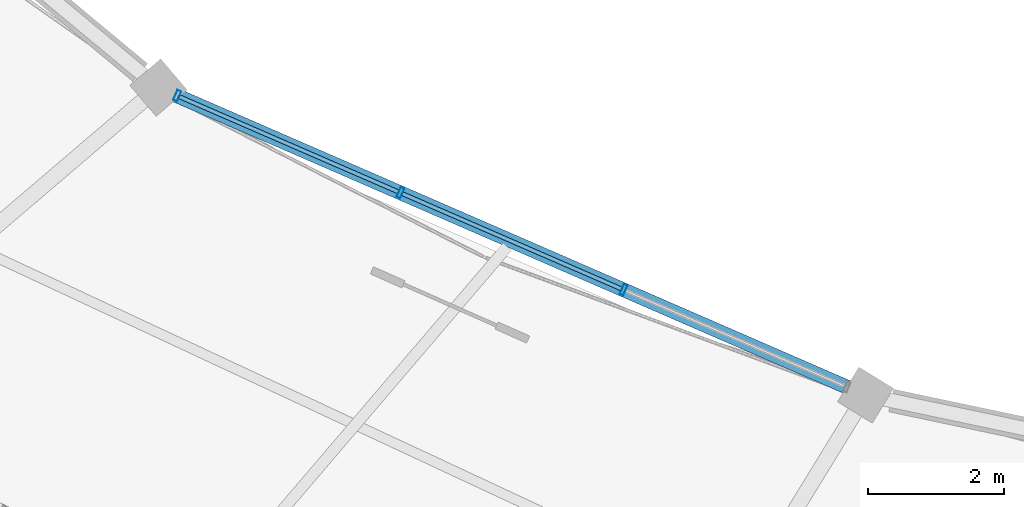
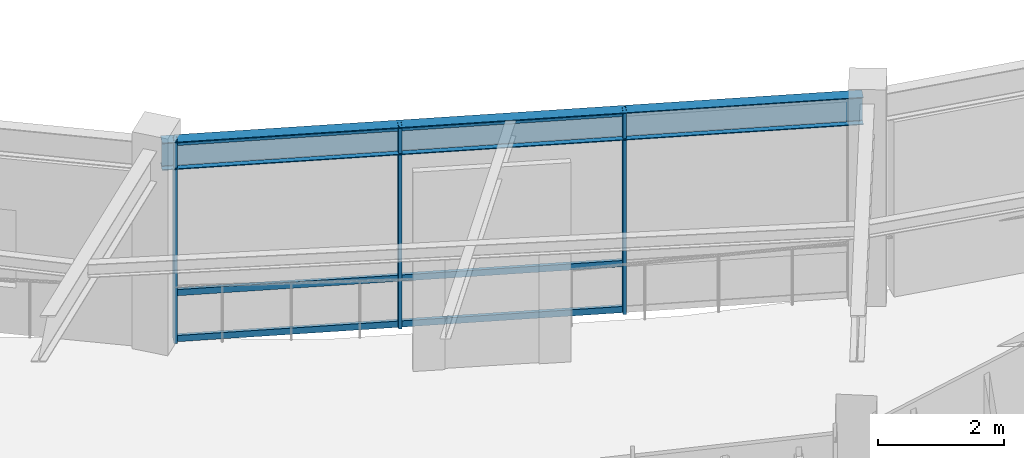
# One storey, part 32 of 114: 9 members, 1 beam, 1 element without a shape of its own.
"""IFC4 building model written with IfcOpenShell, lengths in metres."""

from ifc_helpers import new_model, si_unit, direction, frame, origin, origin_2d, place, context, subcontext, project, spatial, hollow_rectangle, i_section, extrude, material, material_profile, profile_set, type_object, element, aggregate, save


model = new_model("IFC4")

# Units and contexts
model_context = context("Model", 3, precision=1e-05, world=origin(), true_north=direction((0.0, 1.0)))
body_context = subcontext(model_context, "Body", "Model", "MODEL_VIEW")
ifc_project = project(units=[si_unit("LENGTHUNIT", "METRE"), si_unit("AREAUNIT", "SQUARE_METRE"), si_unit("VOLUMEUNIT", "CUBIC_METRE"), si_unit("PLANEANGLEUNIT", "RADIAN"), si_unit("MASSUNIT", "GRAM", prefix="KILO"), si_unit("THERMODYNAMICTEMPERATUREUNIT", "KELVIN"), si_unit("POWERUNIT", "WATT")], contexts=[model_context])

# Site, building, storey
site_placement = place(None, origin())
site = spatial("IfcSite", under=ifc_project, at=site_placement, CompositionType="ELEMENT")
building_placement = place(site_placement, origin())
building = spatial("IfcBuilding", under=site, at=building_placement, Name="Darbajah Civic Hall", CompositionType="ELEMENT")
storey_placement = place(building_placement, frame((0.0, 0.0, 13.800048828125)))
storey = spatial("IfcBuildingStorey", under=building, at=storey_placement, Name="L03", CompositionType="ELEMENT", Elevation=13.800048828125)

# Curtain wall, members
ifc_material_1 = material(Name="Anodised Bronze Aluminium and Low-E Glazing", Category="aluminium")
curtain_wall_type = type_object("IfcCurtainWallType", Name="Unitised Curtain Wall CW-39 10800x3900", PredefinedType="USERDEFINED", material=ifc_material_1)
curtain_wall_placement = place(storey_placement, origin())
curtain_wall = element("IfcCurtainWall", 1, at=curtain_wall_placement, inside=storey, type_object=curtain_wall_type, Name="L03 unitised curtain wall CW-V1I-L03-12", ObjectType="UNITISED CURTAIN WALL", PredefinedType="USERDEFINED")
ifc_material_2 = material(Name="Anodised Bronze Aluminium", Category="aluminium")
ifc_material_profile_1 = material_profile(ifc_material_2, hollow_rectangle(XDim=0.06005859375, YDim=0.159912109375, WallThickness=0.00341796875, at=origin_2d()), Name="ALU MULLION 60x160")
ifc_profile_set_1 = profile_set([ifc_material_profile_1], Name="Anodised Bronze Aluminium")
member_type_1 = type_object("IfcMemberType", Name="ALU MULLION 60x160", PredefinedType="MULLION", material=ifc_profile_set_1)
member_1_placement = place(storey_placement, frame((56.071044921875, 75.197021484375, 0.0), z_axis=(0.0, 0.0, 1.0), x_axis=(0.917060074385, -0.398749068925, 0.0)))
member_1 = element("IfcMember", 2, at=member_1_placement, type_object=member_type_1, Name="CW-V1I-L03-12 mullion 1", PredefinedType="MULLION", context=body_context, shape_type="SweptSolid", body=[
    extrude(hollow_rectangle(XDim=0.06005859375, YDim=0.159912109375, WallThickness=0.00341796875, at=origin_2d()), origin(), (0.0, 0.0, 1.0), 3.919921875),
])
member_2_placement = place(storey_placement, frame((59.360107421875, 73.766845703125, 0.0), z_axis=(0.0, 0.0, 1.0), x_axis=(0.917060074385, -0.398749068925, 0.0)))
member_2 = element("IfcMember", 3, at=member_2_placement, type_object=member_type_1, Name="CW-V1I-L03-12 mullion 2", PredefinedType="MULLION", context=body_context, shape_type="SweptSolid", body=[
    extrude(hollow_rectangle(XDim=0.06005859375, YDim=0.159912109375, WallThickness=0.00341796875, at=origin_2d()), origin(), (0.0, 0.0, 1.0), 3.919921875),
])
member_3_placement = place(storey_placement, frame((62.648681640625, 72.336669921875, 0.0), z_axis=(0.0, 0.0, 1.0), x_axis=(0.917060074385, -0.398749068925, 0.0)))
member_3 = element("IfcMember", 4, at=member_3_placement, type_object=member_type_1, Name="CW-V1I-L03-12 mullion 3", PredefinedType="MULLION", context=body_context, shape_type="SweptSolid", body=[
    extrude(hollow_rectangle(XDim=0.06005859375, YDim=0.159912109375, WallThickness=0.00341796875, at=origin_2d()), origin(), (0.0, 0.0, 1.0), 3.919921875),
])
ifc_material_profile_2 = material_profile(ifc_material_2, hollow_rectangle(XDim=0.06005859375, YDim=0.1201171875, WallThickness=0.003173828125, at=origin_2d()), Name="ALU TRANSOM 60x120")
ifc_profile_set_2 = profile_set([ifc_material_profile_2], Name="Anodised Bronze Aluminium")
member_type_2 = type_object("IfcMemberType", Name="ALU TRANSOM 60x120", PredefinedType="USERDEFINED", material=ifc_profile_set_2)
member_4_placement = place(storey_placement, frame((56.103271484375, 75.182861328125, 0.06005859375), z_axis=(0.917060121318, -0.398748960988, 0.0), x_axis=(0.398748960988, 0.917060121318, 0.0)))
member_4 = element("IfcMember", 5, at=member_4_placement, type_object=member_type_2, Name="CW-V1I-L03-12 transom 1.1", ObjectType="TRANSOM", PredefinedType="USERDEFINED", context=body_context, shape_type="SweptSolid", body=[
    extrude(hollow_rectangle(XDim=0.06005859375, YDim=0.1201171875, WallThickness=0.003173828125, at=origin_2d()), origin(), (0.0, 0.0, 1.0), 3.516357421875),
])
member_5_placement = place(storey_placement, frame((56.103271484375, 75.182861328125, 0.949951171875), z_axis=(0.917060121318, -0.398748960988, 0.0), x_axis=(0.398748960988, 0.917060121318, 0.0)))
member_5 = element("IfcMember", 6, at=member_5_placement, type_object=member_type_2, Name="CW-V1I-L03-12 transom 1.2", ObjectType="TRANSOM", PredefinedType="USERDEFINED", context=body_context, shape_type="SweptSolid", body=[
    extrude(hollow_rectangle(XDim=0.06005859375, YDim=0.1201171875, WallThickness=0.003173828125, at=origin_2d()), origin(), (0.0, 0.0, 1.0), 3.516357421875),
])
member_6_placement = place(storey_placement, frame((56.103271484375, 75.182861328125, 3.85986328125), z_axis=(0.917060121318, -0.398748960988, 0.0), x_axis=(0.398748960988, 0.917060121318, 0.0)))
member_6 = element("IfcMember", 7, at=member_6_placement, type_object=member_type_2, Name="CW-V1I-L03-12 transom 1.3", ObjectType="TRANSOM", PredefinedType="USERDEFINED", context=body_context, shape_type="SweptSolid", body=[
    extrude(hollow_rectangle(XDim=0.06005859375, YDim=0.1201171875, WallThickness=0.003173828125, at=origin_2d()), origin(), (0.0, 0.0, 1.0), 3.516357421875),
])
member_7_placement = place(storey_placement, frame((59.39208984375, 73.752685546875, 0.06005859375), z_axis=(0.917060121318, -0.398748960988, 0.0), x_axis=(0.398748960988, 0.917060121318, 0.0)))
member_7 = element("IfcMember", 8, at=member_7_placement, type_object=member_type_2, Name="CW-V1I-L03-12 transom 2.1", ObjectType="TRANSOM", PredefinedType="USERDEFINED", context=body_context, shape_type="SweptSolid", body=[
    extrude(hollow_rectangle(XDim=0.06005859375, YDim=0.1201171875, WallThickness=0.003173828125, at=origin_2d()), origin(), (0.0, 0.0, 1.0), 3.516357421875),
])
member_8_placement = place(storey_placement, frame((59.39208984375, 73.752685546875, 0.949951171875), z_axis=(0.917060121318, -0.398748960988, 0.0), x_axis=(0.398748960988, 0.917060121318, 0.0)))
member_8 = element("IfcMember", 9, at=member_8_placement, type_object=member_type_2, Name="CW-V1I-L03-12 transom 2.2", ObjectType="TRANSOM", PredefinedType="USERDEFINED", context=body_context, shape_type="SweptSolid", body=[
    extrude(hollow_rectangle(XDim=0.06005859375, YDim=0.1201171875, WallThickness=0.003173828125, at=origin_2d()), origin(), (0.0, 0.0, 1.0), 3.516357421875),
])
member_9_placement = place(storey_placement, frame((59.39208984375, 73.752685546875, 3.85986328125), z_axis=(0.917060121318, -0.398748960988, 0.0), x_axis=(0.398748960988, 0.917060121318, 0.0)))
member_9 = element("IfcMember", 10, at=member_9_placement, type_object=member_type_2, Name="CW-V1I-L03-12 transom 2.3", ObjectType="TRANSOM", PredefinedType="USERDEFINED", context=body_context, shape_type="SweptSolid", body=[
    extrude(hollow_rectangle(XDim=0.06005859375, YDim=0.1201171875, WallThickness=0.003173828125, at=origin_2d()), origin(), (0.0, 0.0, 1.0), 3.516357421875),
])
aggregate(curtain_wall, [member_1, member_2, member_3, member_4, member_5, member_6, member_7, member_8, member_9])

# Beam
ifc_material_3 = material(Name="Steel S355JR", Category="steel")
ifc_material_profile_3 = material_profile(ifc_material_3, i_section(OverallWidth=0.209228515625, OverallDepth=0.533203125, WebThickness=0.010009765625, FlangeThickness=0.015625, FilletRadius=0.0126953125, at=origin_2d()), Name="UB 533x210x92")
ifc_profile_set_3 = profile_set([ifc_material_profile_3], Name="Steel S355JR")
beam_type = type_object("IfcBeamType", Name="UB 533x210x92", PredefinedType="BEAM", material=ifc_profile_set_3)
beam_placement = place(storey_placement, frame((55.86767578125, 75.285400390625, 3.653564453125), z_axis=(0.917051345793, -0.398769142712, 0.0), x_axis=(0.398769142712, 0.917051345793, 0.0)))
element("IfcBeam", 11, at=beam_placement, inside=storey, type_object=beam_type, Name="L03 beam SB-533", PredefinedType="BEAM", context=body_context, shape_type="SweptSolid", body=[
    extrude(i_section(OverallWidth=0.209228515625, OverallDepth=0.533203125, WebThickness=0.010009765625, FlangeThickness=0.015625, FilletRadius=0.0126953125, at=origin_2d()), origin(), (0.0, 0.0, 1.0), 11.20263671875),
])

save(model, "model.ifc")
